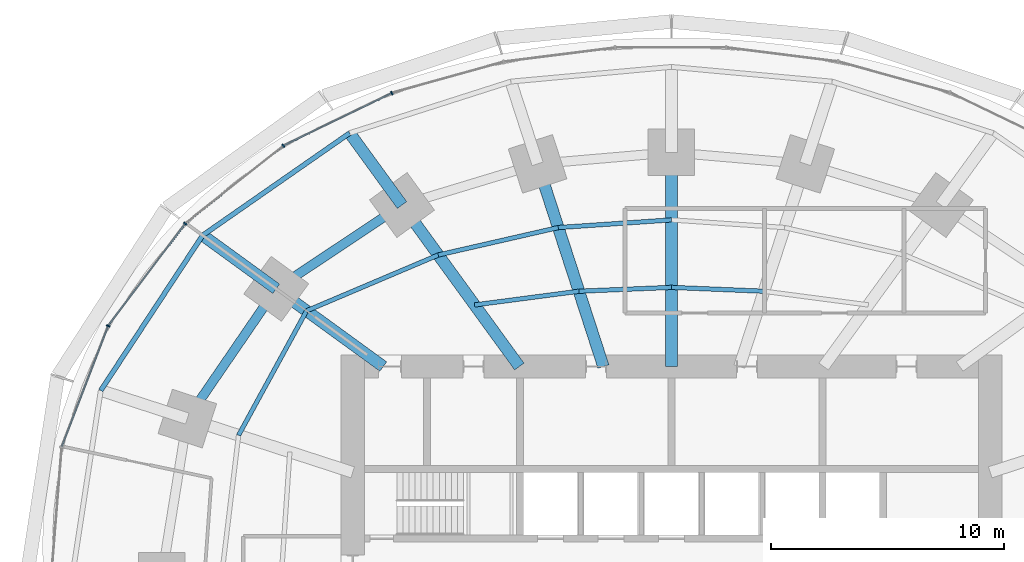
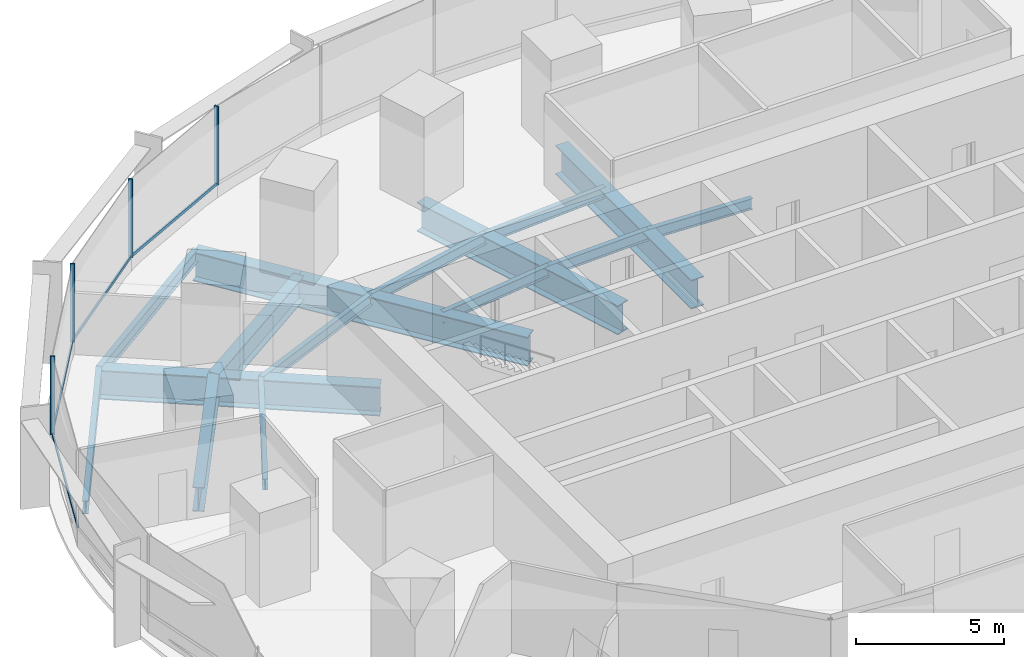
# One storey, part 7 of 15: 17 beams, 8 members, 1 element without a shape of its own.
"""IFC4 building model written with IfcOpenShell, lengths in metres."""

from ifc_helpers import new_model, si_unit, direction, frame, origin, origin_2d, place, context, subcontext, project, spatial, rectangle, i_section, extrude, material, material_profile, profile_set, type_object, element, aggregate, save


model = new_model("IFC4")

# Units and contexts
model_context = context("Model", 3, precision=1e-05, world=origin(), true_north=direction((0.0, 1.0)))
body_context = subcontext(model_context, "Body", "Model", "MODEL_VIEW")
ifc_project = project(units=[si_unit("LENGTHUNIT", "METRE"), si_unit("AREAUNIT", "SQUARE_METRE"), si_unit("VOLUMEUNIT", "CUBIC_METRE"), si_unit("PLANEANGLEUNIT", "RADIAN"), si_unit("MASSUNIT", "GRAM", prefix="KILO")], contexts=[model_context])

# Site, building, storey
site_placement = place(None, origin())
site = spatial("IfcSite", under=ifc_project, at=site_placement, CompositionType="ELEMENT")
building_placement = place(site_placement, origin())
building = spatial("IfcBuilding", under=site, at=building_placement, Name="Marramba Exchange Tower", CompositionType="ELEMENT")
storey_placement = place(building_placement, frame((0.0, 0.0, 57.39990234375)))
storey = spatial("IfcBuildingStorey", under=building, at=storey_placement, Name="L13", CompositionType="ELEMENT", Elevation=57.39990234375)

# Beams
ifc_material_1 = material(Name="Steel AS/NZS 3679.2 grade 300", Category="steel")
ifc_material_profile_1 = material_profile(ifc_material_1, i_section(OverallWidth=0.5, OverallDepth=1.199951171875, WebThickness=0.01611328125, FlangeThickness=0.0400390625, at=origin_2d()), Name="1200WB455")
ifc_profile_set_1 = profile_set([ifc_material_profile_1], Name="Steel AS/NZS 3679.2 grade 300")
beam_type_1 = type_object("IfcBeamType", Name="Cantilever girder 1200WB455", PredefinedType="BEAM", material=ifc_profile_set_1)
beam_1_placement = place(storey_placement, frame((-11.581298828125, 15.9404296875, -0.760009765625), z_axis=(-0.587795827483, 0.809009310944, 0.0), x_axis=(-0.809009310944, -0.587795827483, 0.0)))
element("IfcBeam", 1, at=beam_1_placement, inside=storey, type_object=beam_type_1, Name="Cantilever girder L13 TC08", PredefinedType="BEAM", context=body_context, shape_type="SweptSolid", body=[
    extrude(i_section(OverallWidth=0.5, OverallDepth=1.199951171875, WebThickness=0.01611328125, FlangeThickness=0.0400390625, at=origin_2d()), origin(), (0.0, 0.0, 1.0), 3.82421875),
])
beam_2_placement = place(storey_placement, frame((-16.98583984375, 12.3408203125, -0.760009765625), z_axis=(-0.808987260856, 0.587826174793, 0.0), x_axis=(-0.587826174793, -0.808987260856, 0.0)))
element("IfcBeam", 2, at=beam_2_placement, inside=storey, type_object=beam_type_1, Name="Cantilever girder L13 TC09", PredefinedType="BEAM", context=body_context, shape_type="SweptSolid", body=[
    extrude(i_section(OverallWidth=0.5, OverallDepth=1.199951171875, WebThickness=0.01611328125, FlangeThickness=0.0400390625, at=origin_2d()), origin(), (0.0, 0.0, 1.0), 3.90771484375),
])
ifc_material_2 = material(Name="Steel AS/NZS 3679.1 grade 300", Category="steel")
ifc_material_profile_2 = material_profile(ifc_material_2, i_section(OverallWidth=0.18994140625, OverallDepth=0.4541015625, WebThickness=0.008544921875, FlangeThickness=0.0126953125, FilletRadius=0.011474609375, at=origin_2d()), Name="460UB67.1")
ifc_profile_set_2 = profile_set([ifc_material_profile_2], Name="Steel AS/NZS 3679.1 grade 300")
beam_type_2 = type_object("IfcBeamType", Name="Floor joist 460UB67.1", PredefinedType="JOIST", material=ifc_profile_set_2)
for number, where, z_axis, x_axis, name in (
    (3, (3.975830078125, 12.236083984375, -0.386962890625), (-0.999137002892, 0.041536122257, 0.0), (-0.041536122257, -0.999137002892, 0.0), "Joist L13 bay 05 row 1"),
    (4, (0.0, 12.4013671875, -0.386962890625), (-0.999137002892, -0.041536122257, 0.0), (0.041536122257, -0.999137002892, 0.0), "Joist L13 bay 06 row 1"),
):
    element("IfcBeam", number, at=place(storey_placement, frame(where, z_axis=z_axis, x_axis=x_axis)), inside=storey, type_object=beam_type_2, Name=name, PredefinedType="JOIST", context=body_context, shape_type="SweptSolid", body=[
        extrude(i_section(OverallWidth=0.18994140625, OverallDepth=0.4541015625, WebThickness=0.008544921875, FlangeThickness=0.0126953125, FilletRadius=0.011474609375, at=origin_2d()), origin(), (0.0, 0.0, 1.0), 3.979248046875),
    ])
beam_3_placement = place(storey_placement, frame((0.0, 15.302734375, -0.386962890625), z_axis=(-0.997702652202, -0.067745241816, 0.0), x_axis=(0.067745241816, -0.997702652202, 0.0)))
element("IfcBeam", 5, at=beam_3_placement, inside=storey, type_object=beam_type_2, Name="Joist L13 bay 06 row 2", PredefinedType="JOIST", context=body_context, shape_type="SweptSolid", body=[
    extrude(i_section(OverallWidth=0.18994140625, OverallDepth=0.4541015625, WebThickness=0.008544921875, FlangeThickness=0.0126953125, FilletRadius=0.011474609375, at=origin_2d()), origin(), (0.0, 0.0, 1.0), 4.8759765625),
])
beam_4_placement = place(storey_placement, frame((-3.975830078125, 12.236083984375, -0.386962890625), z_axis=(-0.991480538255, -0.130254912618, 0.0), x_axis=(0.130254912618, -0.991480538255, 0.0)))
element("IfcBeam", 6, at=beam_4_placement, inside=storey, type_object=beam_type_2, Name="Joist L13 bay 07 row 1", PredefinedType="JOIST", context=body_context, shape_type="SweptSolid", body=[
    extrude(i_section(OverallWidth=0.18994140625, OverallDepth=0.4541015625, WebThickness=0.008544921875, FlangeThickness=0.0126953125, FilletRadius=0.011474609375, at=origin_2d()), origin(), (0.0, 0.0, 1.0), 4.524658203125),
])
beam_5_placement = place(storey_placement, frame((-4.86474609375, 14.972412109375, -0.386962890625), z_axis=(-0.974859652292, -0.222819788916, 0.0), x_axis=(0.222819788916, -0.974859652292, 0.0)))
element("IfcBeam", 7, at=beam_5_placement, inside=storey, type_object=beam_type_2, Name="Joist L13 bay 07 row 2", PredefinedType="JOIST", context=body_context, shape_type="SweptSolid", body=[
    extrude(i_section(OverallWidth=0.18994140625, OverallDepth=0.4541015625, WebThickness=0.008544921875, FlangeThickness=0.0126953125, FilletRadius=0.011474609375, at=origin_2d()), origin(), (0.0, 0.0, 1.0), 5.2900390625),
])
beam_6_placement = place(storey_placement, frame((-10.021728515625, 13.793701171875, -0.386962890625), z_axis=(-0.920674336375, -0.390331610738, 0.0), x_axis=(0.390331610738, -0.920674336375, 0.0)))
element("IfcBeam", 8, at=beam_6_placement, inside=storey, type_object=beam_type_2, Name="Joist L13 bay 08 row 2", PredefinedType="JOIST", context=body_context, shape_type="SweptSolid", body=[
    extrude(i_section(OverallWidth=0.18994140625, OverallDepth=0.4541015625, WebThickness=0.008544921875, FlangeThickness=0.0126953125, FilletRadius=0.011474609375, at=origin_2d()), origin(), (0.0, 0.0, 1.0), 6.1484375),
])
beam_7_placement = place(storey_placement, frame((-15.682373046875, 11.393798828125, -0.386962890625), z_axis=(-0.479584443791, -0.877495732909, 0.0), x_axis=(0.877495732909, -0.479584443791, 0.0)))
element("IfcBeam", 9, at=beam_7_placement, inside=storey, type_object=beam_type_2, Name="Joist L13 bay 09 row 2", PredefinedType="JOIST", context=body_context, shape_type="SweptSolid", body=[
    extrude(i_section(OverallWidth=0.18994140625, OverallDepth=0.4541015625, WebThickness=0.008544921875, FlangeThickness=0.0126953125, FilletRadius=0.011474609375, at=origin_2d()), origin(), (0.0, 0.0, 1.0), 6.094970703125),
])
ifc_material_profile_3 = material_profile(ifc_material_1, i_section(OverallWidth=0.5, OverallDepth=1.199951171875, WebThickness=0.01611328125, FlangeThickness=0.0400390625, at=origin_2d()), Name="1200WB455")
ifc_profile_set_3 = profile_set([ifc_material_profile_3], Name="Steel AS/NZS 3679.2 grade 300")
beam_type_3 = type_object("IfcBeamType", Name="Radial girder 1200WB455", PredefinedType="BEAM", material=ifc_profile_set_3)
beam_8_placement = place(storey_placement, frame((0.0, 9.0, -0.760009765625), z_axis=(0.0, 1.0, 0.0), x_axis=(-1.0, 0.0, 0.0)))
element("IfcBeam", 10, at=beam_8_placement, inside=storey, type_object=beam_type_3, Name="Radial girder L13 TC06", PredefinedType="BEAM", context=body_context, shape_type="SweptSolid", body=[
    extrude(i_section(OverallWidth=0.5, OverallDepth=1.199951171875, WebThickness=0.01611328125, FlangeThickness=0.0400390625, at=origin_2d()), origin(), (0.0, 0.0, 1.0), 9.2041015625),
])
beam_9_placement = place(storey_placement, frame((-2.92431640625, 9.0, -0.760009765625), z_axis=(-0.309019754162, 0.951055619582, 0.0), x_axis=(-0.951055619582, -0.309019754162, 0.0)))
element("IfcBeam", 11, at=beam_9_placement, inside=storey, type_object=beam_type_3, Name="Radial girder L13 TC07", PredefinedType="BEAM", context=body_context, shape_type="SweptSolid", body=[
    extrude(i_section(OverallWidth=0.5, OverallDepth=1.199951171875, WebThickness=0.01611328125, FlangeThickness=0.0400390625, at=origin_2d()), origin(), (0.0, 0.0, 1.0), 9.15673828125),
])
beam_10_placement = place(storey_placement, frame((-6.538818359375, 9.0, -0.760009765625), z_axis=(-0.587782439969, 0.80901903764, 0.0), x_axis=(-0.80901903764, -0.587782439969, 0.0)))
element("IfcBeam", 12, at=beam_10_placement, inside=storey, type_object=beam_type_3, Name="Radial girder L13 TC08", PredefinedType="BEAM", context=body_context, shape_type="SweptSolid", body=[
    extrude(i_section(OverallWidth=0.5, OverallDepth=1.199951171875, WebThickness=0.01611328125, FlangeThickness=0.0400390625, at=origin_2d()), origin(), (0.0, 0.0, 1.0), 8.578857421875),
])
beam_11_placement = place(storey_placement, frame((-12.387451171875, 9.0, -0.760009765625), z_axis=(-0.809025746925, 0.587773205252, 0.0), x_axis=(-0.587773205252, -0.809025746925, 0.0)))
element("IfcBeam", 13, at=beam_11_placement, inside=storey, type_object=beam_type_3, Name="Radial girder L13 TC09", PredefinedType="BEAM", context=body_context, shape_type="SweptSolid", body=[
    extrude(i_section(OverallWidth=0.5, OverallDepth=1.199951171875, WebThickness=0.01611328125, FlangeThickness=0.0400390625, at=origin_2d()), origin(), (0.0, 0.0, 1.0), 5.683837890625),
])
ifc_material_profile_4 = material_profile(ifc_material_1, i_section(OverallWidth=0.39990234375, OverallDepth=1.0, WebThickness=0.01611328125, FlangeThickness=0.031982421875, at=origin_2d()), Name="1000WB322")
ifc_profile_set_4 = profile_set([ifc_material_profile_4], Name="Steel AS/NZS 3679.2 grade 300")
beam_type_4 = type_object("IfcBeamType", Name="Ring beam 1000WB322", PredefinedType="SPANDREL", material=ifc_profile_set_4)
beam_12_placement = place(storey_placement, frame((-11.581298828125, 15.9404296875, -0.659912109375), z_axis=(-0.832293151443, -0.554335737673, 0.0), x_axis=(0.554335737673, -0.832293151443, 0.0)))
element("IfcBeam", 14, at=beam_12_placement, inside=storey, type_object=beam_type_4, Name="Ring beam L13 TC08-TC09", PredefinedType="SPANDREL", context=body_context, shape_type="SweptSolid", body=[
    extrude(i_section(OverallWidth=0.39990234375, OverallDepth=1.0, WebThickness=0.01611328125, FlangeThickness=0.031982421875, at=origin_2d()), origin(), (0.0, 0.0, 1.0), 6.49365234375),
])
beam_13_placement = place(storey_placement, frame((-16.98583984375, 12.3408203125, -0.659912109375), z_axis=(-0.56516002054, -0.824981303535, 0.0), x_axis=(0.824981303535, -0.56516002054, 0.0)))
element("IfcBeam", 15, at=beam_13_placement, inside=storey, type_object=beam_type_4, Name="Ring beam L13 TC09-TC10", PredefinedType="SPANDREL", context=body_context, shape_type="SweptSolid", body=[
    extrude(i_section(OverallWidth=0.39990234375, OverallDepth=1.0, WebThickness=0.01611328125, FlangeThickness=0.031982421875, at=origin_2d()), origin(), (0.0, 0.0, 1.0), 6.763671875),
])
ifc_material_profile_5 = material_profile(ifc_material_2, i_section(OverallWidth=0.208984375, OverallDepth=0.528076171875, WebThickness=0.009521484375, FlangeThickness=0.01318359375, FilletRadius=0.013916015625, at=origin_2d()), Name="530UB82.0")
ifc_profile_set_5 = profile_set([ifc_material_profile_5], Name="Steel AS/NZS 3679.1 grade 300")
beam_type_5 = type_object("IfcBeamType", Name="Slab edge beam 530UB82.0", PredefinedType="SPANDREL", material=ifc_profile_set_5)
beam_14_placement = place(storey_placement, frame((-13.8291015625, 19.0341796875, -0.423828125), z_axis=(-0.820842487183, -0.571154629882, 0.0), x_axis=(0.571154629882, -0.820842487183, 0.0)))
element("IfcBeam", 16, at=beam_14_placement, inside=storey, type_object=beam_type_5, Name="Slab edge beam L13 TC08-TC09", PredefinedType="SPANDREL", context=body_context, shape_type="SweptSolid", body=[
    extrude(i_section(OverallWidth=0.208984375, OverallDepth=0.528076171875, WebThickness=0.009521484375, FlangeThickness=0.01318359375, FilletRadius=0.013916015625, at=origin_2d()), origin(), (0.0, 0.0, 1.0), 7.697021484375),
])
beam_15_placement = place(storey_placement, frame((-20.147216796875, 14.637939453125, -0.423828125), z_axis=(-0.549123544095, -0.835741188001, 0.0), x_axis=(0.835741188001, -0.549123544095, 0.0)))
element("IfcBeam", 17, at=beam_15_placement, inside=storey, type_object=beam_type_5, Name="Slab edge beam L13 TC09-TC10", PredefinedType="SPANDREL", context=body_context, shape_type="SweptSolid", body=[
    extrude(i_section(OverallWidth=0.208984375, OverallDepth=0.528076171875, WebThickness=0.009521484375, FlangeThickness=0.01318359375, FilletRadius=0.013916015625, at=origin_2d()), origin(), (0.0, 0.0, 1.0), 7.978759765625),
])

# Curtain wall, members
ifc_material_3 = material(Name="Aluminium framing, bronze anodised", Category="aluminium")
curtain_wall_type = type_object("IfcCurtainWallType", Name="Trading floor ribbon curtain wall", PredefinedType="USERDEFINED", material=ifc_material_3)
curtain_wall_placement = place(storey_placement, origin())
curtain_wall = element("IfcCurtainWall", 18, at=curtain_wall_placement, inside=storey, type_object=curtain_wall_type, Name="Curtain wall CW3 L13 F11-F15", ObjectType="RIBBON CURTAIN WALL", PredefinedType="USERDEFINED")
ifc_material_4 = material(Name="Aluminium mullion, bronze anodised", Category="aluminium")
ifc_material_profile_6 = material_profile(ifc_material_4, rectangle(XDim=0.159912109375, YDim=0.06005859375, at=origin_2d()), Name="CW3 mullion 60x160")
ifc_profile_set_6 = profile_set([ifc_material_profile_6], Name="Aluminium mullion, bronze anodised")
member_type_1 = type_object("IfcMemberType", Name="Trading floor ribbon curtain wall mullion", PredefinedType="MULLION", material=ifc_profile_set_6)
member_1_placement = place(storey_placement, frame((-12.016357421875, 20.7529296875, 0.800048828125), z_axis=(0.0, 0.0, 1.0), x_axis=(0.43596538664, -0.899963433508, 0.0)))
member_1 = element("IfcMember", 19, at=member_1_placement, type_object=member_type_1, Name="CW3 mullion 1", PredefinedType="MULLION", context=body_context, shape_type="SweptSolid", body=[
    extrude(rectangle(XDim=0.159912109375, YDim=0.06005859375, at=origin_2d()), origin(), (0.0, 0.0, 1.0), 3.239990234375),
])
member_2_placement = place(storey_placement, frame((-16.683837890625, 18.484619140625, 0.800048828125), z_axis=(0.0, 0.0, 1.0), x_axis=(0.620649730166, -0.784087949432, 0.0)))
member_2 = element("IfcMember", 20, at=member_2_placement, type_object=member_type_1, Name="CW3 mullion 1", PredefinedType="MULLION", context=body_context, shape_type="SweptSolid", body=[
    extrude(rectangle(XDim=0.159912109375, YDim=0.06005859375, at=origin_2d()), origin(), (0.0, 0.0, 1.0), 3.239990234375),
])
member_3_placement = place(storey_placement, frame((-20.8935546875, 15.142822265625, 0.800048828125), z_axis=(0.0, 0.0, 1.0), x_axis=(0.797748922445, -0.602989765036, 0.0)))
member_3 = element("IfcMember", 21, at=member_3_placement, type_object=member_type_1, Name="CW3 mullion 1", PredefinedType="MULLION", context=body_context, shape_type="SweptSolid", body=[
    extrude(rectangle(XDim=0.159912109375, YDim=0.06005859375, at=origin_2d()), origin(), (0.0, 0.0, 1.0), 3.239990234375),
])
member_4_placement = place(storey_placement, frame((-24.207275390625, 10.7451171875, 0.800048828125), z_axis=(0.0, 0.0, 1.0), x_axis=(0.933135256626, -0.359525510698, 0.0)))
member_4 = element("IfcMember", 22, at=member_4_placement, type_object=member_type_1, Name="CW3 mullion 1", PredefinedType="MULLION", context=body_context, shape_type="SweptSolid", body=[
    extrude(rectangle(XDim=0.159912109375, YDim=0.06005859375, at=origin_2d()), origin(), (0.0, 0.0, 1.0), 3.239990234375),
])
ifc_material_5 = material(Name="Aluminium transom, bronze anodised", Category="aluminium")
ifc_material_profile_7 = material_profile(ifc_material_5, rectangle(XDim=0.06005859375, YDim=0.1201171875, at=origin_2d()), Name="CW3 transom 60x120")
ifc_profile_set_7 = profile_set([ifc_material_profile_7], Name="Aluminium transom, bronze anodised")
member_type_2 = type_object("IfcMemberType", Name="Trading floor ribbon curtain wall transom", PredefinedType="USERDEFINED", material=ifc_profile_set_7)
member_5_placement = place(storey_placement, frame((-12.043212890625, 20.739990234375, 0.830078125), z_axis=(-0.89995331781, -0.43598626786, 0.0), x_axis=(0.43598626786, -0.89995331781, 0.0)))
member_5 = element("IfcMember", 23, at=member_5_placement, type_object=member_type_2, Name="CW3 sill transom", ObjectType="TRANSOM", PredefinedType="USERDEFINED", context=body_context, shape_type="SweptSolid", body=[
    extrude(rectangle(XDim=0.06005859375, YDim=0.1201171875, at=origin_2d()), origin(), (0.0, 0.0, 1.0), 5.13037109375),
])
member_6_placement = place(storey_placement, frame((-16.70751953125, 18.466064453125, 0.830078125), z_axis=(-0.784075625018, -0.620665299701, 0.0), x_axis=(0.620665299701, -0.784075625018, 0.0)))
member_6 = element("IfcMember", 24, at=member_6_placement, type_object=member_type_2, Name="CW3 sill transom", ObjectType="TRANSOM", PredefinedType="USERDEFINED", context=body_context, shape_type="SweptSolid", body=[
    extrude(rectangle(XDim=0.06005859375, YDim=0.1201171875, at=origin_2d()), origin(), (0.0, 0.0, 1.0), 5.315673828125),
])
member_7_placement = place(storey_placement, frame((-20.91162109375, 15.118896484375, 0.830078125), z_axis=(-0.602985866158, -0.797751869452, 0.0), x_axis=(0.797751869452, -0.602985866158, 0.0)))
member_7 = element("IfcMember", 25, at=member_7_placement, type_object=member_type_2, Name="CW3 sill transom", ObjectType="TRANSOM", PredefinedType="USERDEFINED", context=body_context, shape_type="SweptSolid", body=[
    extrude(rectangle(XDim=0.06005859375, YDim=0.1201171875, at=origin_2d()), origin(), (0.0, 0.0, 1.0), 5.44775390625),
])
member_8_placement = place(storey_placement, frame((-24.218017578125, 10.717041015625, 0.830078125), z_axis=(-0.359533581349, -0.933132147063, 0.0), x_axis=(0.933132147063, -0.359533581349, 0.0)))
member_8 = element("IfcMember", 26, at=member_8_placement, type_object=member_type_2, Name="CW3 sill transom", ObjectType="TRANSOM", PredefinedType="USERDEFINED", context=body_context, shape_type="SweptSolid", body=[
    extrude(rectangle(XDim=0.06005859375, YDim=0.1201171875, at=origin_2d()), origin(), (0.0, 0.0, 1.0), 5.5166015625),
])
aggregate(curtain_wall, [member_1, member_5, member_2, member_6, member_3, member_7, member_4, member_8])

save(model, "model.ifc")
